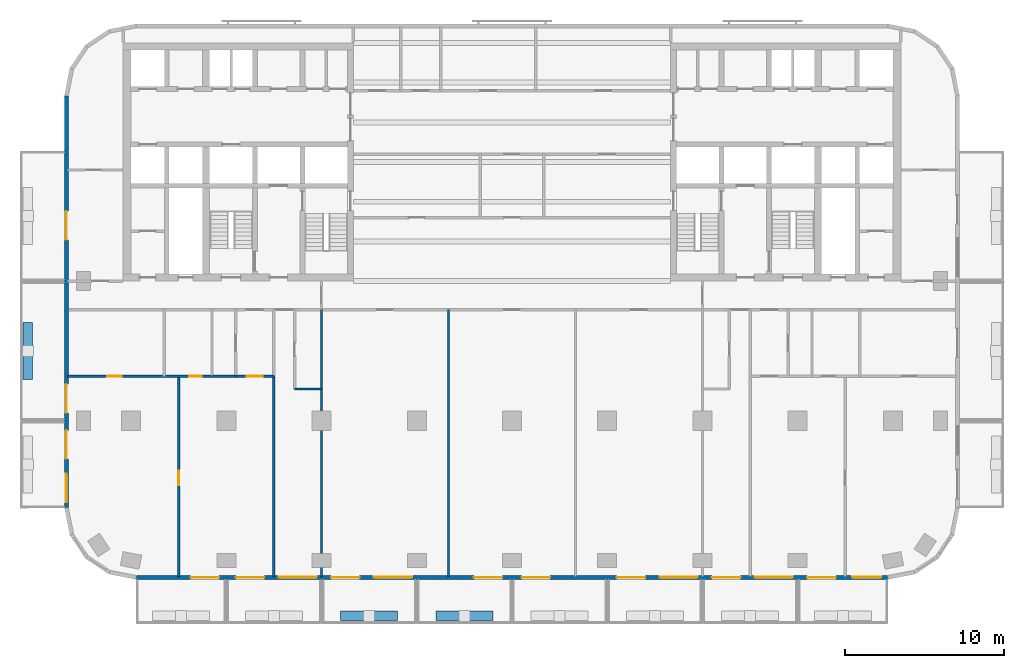
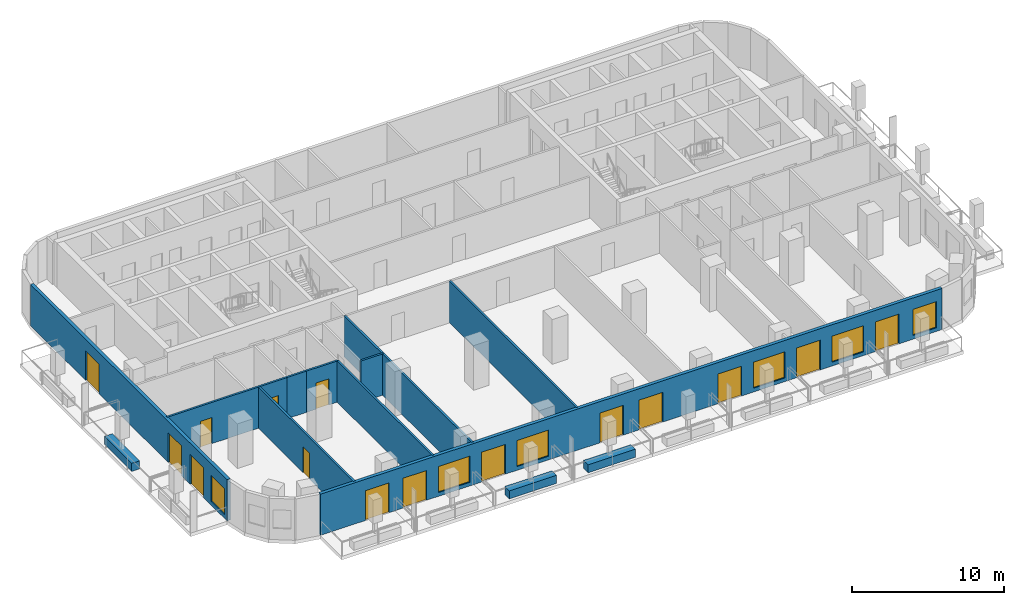
# One storey, part 2 of 11: 15 doors, 13 walls, 6 windows, 21 openings.
"""IFC4 building model written with IfcOpenShell, lengths in metres."""

import ifcopenshell
import ifcopenshell.guid

model = None  # the IFC model being written
_history = None  # IfcOwnerHistory: only IFC2X3 demands one
_inside = {}  # id of a spatial element -> (the spatial element, [elements in it])
_under = {}  # id of a project, library or spatial element -> (it, [spatial elements below it])
_declared = {}  # id of a project -> (the project, [libraries it declares])
_typed = {}  # id of a type object -> (the type object, [elements of that type])
_made_of = {}  # id of a material, layer set ... -> (it, [elements and type objects made of it])


def new_model(schema):
    """Start an empty IFC model of exactly this schema.

    Asked for "IFC4X3", IfcOpenShell would pick the latest addendum, in which some entities
    have other attributes; the version numbers below select the first issue.
    IFC2X3 requires an IfcOwnerHistory on every rooted entity: one is made here for all.
    """
    global model, _history
    if schema == "IFC4X3":
        model = ifcopenshell.file(schema_version=(4, 3, 0, 0))
    else:
        model = ifcopenshell.file(schema=schema)
    _inside.clear()
    _under.clear()
    _declared.clear()
    _typed.clear()
    _made_of.clear()
    _history = None
    if model.schema == "IFC2X3":
        org = make("IfcOrganization", Name="unknown")
        user = make(
            "IfcPersonAndOrganization",
            ThePerson=make("IfcPerson", FamilyName="unknown"),
            TheOrganization=org,
        )
        app = make(
            "IfcApplication",
            ApplicationDeveloper=org,
            Version="unknown",
            ApplicationFullName="unknown",
            ApplicationIdentifier="unknown",
        )
        _history = make(
            "IfcOwnerHistory",
            OwningUser=user,
            OwningApplication=app,
            ChangeAction="ADDED",
            CreationDate=0,
        )
    return model


def make(cls, **values):
    """One entity of the class cls with the attributes given. An attribute that is None is left unset."""
    return model.create_entity(
        cls, **{name: value for name, value in values.items() if value is not None}
    )


def rooted(cls, **values):
    """An entity with a GlobalId (a new one), such as an element, a storey or a relation."""
    return make(cls, GlobalId=ifcopenshell.guid.new(), OwnerHistory=_history, **values)


def si_unit(unit_type, name, prefix=None):
    """IfcSIUnit, for example si_unit("LENGTHUNIT", "METRE", prefix="MILLI")."""
    return make("IfcSIUnit", UnitType=unit_type, Prefix=prefix, Name=name)


def assignment(units):
    """IfcUnitAssignment: the units of a project."""
    return None if units is None else make("IfcUnitAssignment", Units=units)


def point(xyz):
    """IfcCartesianPoint."""
    return None if xyz is None else make("IfcCartesianPoint", Coordinates=xyz)


def direction(xyz):
    """IfcDirection."""
    return None if xyz is None else make("IfcDirection", DirectionRatios=xyz)


def frame(location, z_axis=None, x_axis=None):
    """IfcAxis2Placement3D, a coordinate frame: its origin and axes. An axis left out is left unset."""
    return make(
        "IfcAxis2Placement3D",
        Location=point(location),
        Axis=direction(z_axis),
        RefDirection=direction(x_axis),
    )


def frame_2d(location, x_axis=None):
    """IfcAxis2Placement2D, a coordinate frame in the plane: its origin and x axis."""
    return make(
        "IfcAxis2Placement2D", Location=point(location), RefDirection=direction(x_axis)
    )


def origin():
    """The frame at (0, 0, 0) with its axes left unset."""
    return frame((0.0, 0.0, 0.0))


def place(relative_to, where):
    """IfcLocalPlacement: puts the frame where relative to a parent placement (None: the world)."""
    return make(
        "IfcLocalPlacement", PlacementRelTo=relative_to, RelativePlacement=where
    )


def context(
    kind, dimensions, precision=None, world=None, true_north=None, identifier=None
):
    """IfcGeometricRepresentationContext, for example the 3D "Model" context."""
    return make(
        "IfcGeometricRepresentationContext",
        ContextIdentifier=identifier,
        ContextType=kind,
        CoordinateSpaceDimension=dimensions,
        Precision=precision,
        WorldCoordinateSystem=world,
        TrueNorth=true_north,
    )


def subcontext(parent, identifier, kind, view, scale=None):
    """IfcGeometricRepresentationSubContext, for example "Body" below "Model"."""
    return make(
        "IfcGeometricRepresentationSubContext",
        ContextIdentifier=identifier,
        ContextType=kind,
        ParentContext=parent,
        TargetScale=scale,
        TargetView=view,
    )


def project(units=None, contexts=None):
    """IfcProject with its units and contexts."""
    return rooted(
        "IfcProject",
        Name="project",
        RepresentationContexts=contexts,
        UnitsInContext=assignment(units),
    )


def spatial(cls, under=None, at=None, **own):
    """A site, building, storey or space (cls), placed at a placement, below another one or the project."""
    s = rooted(cls, ObjectPlacement=at, **own)
    if under is not None:
        _under.setdefault(under.id(), (under, []))[1].append(s)
    return s


def profile(cls, at=None, kind="AREA", **sizes):
    """A parametric profile (cls). Its sizes go by their IFC names, for example OverallWidth=200.0."""
    return make(cls, ProfileType=kind, Position=at, **sizes)


def rectangle(**sizes):
    """IfcRectangleProfileDef."""
    return profile("IfcRectangleProfileDef", **sizes)


def extrude(swept, where, along, depth):
    """IfcExtrudedAreaSolid: the profile swept, set in the frame where, extruded along a direction by depth."""
    return make(
        "IfcExtrudedAreaSolid",
        SweptArea=swept,
        Position=where,
        ExtrudedDirection=direction(along),
        Depth=depth,
    )


def shape(context_of_items, identifier, shape_type, items):
    """IfcShapeRepresentation: the items that make up one representation, for example the "Body"."""
    return make(
        "IfcShapeRepresentation",
        ContextOfItems=context_of_items,
        RepresentationIdentifier=identifier,
        RepresentationType=shape_type,
        Items=items,
    )


def material(Name=None, Category=None):
    """IfcMaterial."""
    return make("IfcMaterial", Name=Name, Category=Category)


def layer(
    of_material, thickness, ventilated=None, Name=None, Category=None, Priority=None
):
    """IfcMaterialLayer: one layer of a wall or slab, of a material (None: an air gap)."""
    return make(
        "IfcMaterialLayer",
        Material=of_material,
        LayerThickness=thickness,
        IsVentilated=ventilated,
        Name=Name,
        Category=Category,
        Priority=Priority,
    )


def layer_set(layers, Name=None):
    """IfcMaterialLayerSet."""
    return make("IfcMaterialLayerSet", MaterialLayers=layers, LayerSetName=Name)


def made_of(thing, what):
    """Note that an element or type object is made of a material, layer set ...; save() writes the relation."""
    if what is not None:
        _made_of.setdefault(what.id(), (what, []))[1].append(thing)
    return thing


def type_object(cls, material=None, **own):
    """A type object (cls), such as IfcWallType, which elements share."""
    return made_of(rooted(cls, **own), material)


def element(
    cls,
    number,
    at=None,
    inside=None,
    cuts=None,
    type_object=None,
    material=None,
    context=None,
    identifier="Body",
    shape_type=None,
    held_by="IfcProductDefinitionShape",
    body=None,
    shapes=None,
    **own,
):
    """One element of the class cls, such as IfcWall. Its Tag is "e" and its number.

    at: its placement. inside: the storey or other place that contains it. cuts: it is an
    opening in that element (IfcRelVoidsElement). A single representation is given by context,
    identifier, shape_type and body (its items); several are given by shapes. held_by: the class
    of the entity that holds the representations. save() writes the other relations.
    """
    e = rooted(cls, Tag="e%d" % number, ObjectPlacement=at, **own)
    if body is not None:
        shapes = [shape(context, identifier, shape_type, body)]
    if shapes is not None:
        e.Representation = make(held_by, Representations=shapes)
    if inside is not None:
        _inside.setdefault(inside.id(), (inside, []))[1].append(e)
    if cuts is not None:
        rooted(
            "IfcRelVoidsElement", RelatingBuildingElement=cuts, RelatedOpeningElement=e
        )
    if type_object is not None:
        _typed.setdefault(type_object.id(), (type_object, []))[1].append(e)
    return made_of(e, material)


def fill(opening, filler):
    """IfcRelFillsElement: the door or window that sits in an opening."""
    return rooted(
        "IfcRelFillsElement",
        RelatingOpeningElement=opening,
        RelatedBuildingElement=filler,
    )


def aggregate(whole, parts):
    """IfcRelAggregates: a whole, such as a stair, and the parts it consists of."""
    return rooted("IfcRelAggregates", RelatingObject=whole, RelatedObjects=parts)


def save(model, path):
    """Write the relations noted so far, then the file.

    IfcRelAggregates (storeys below a building ...), IfcRelContainedInSpatialStructure (elements
    in a storey), IfcRelDefinesByType, IfcRelAssociatesMaterial and IfcRelDeclares: one each for
    every whole, place, type object, material and project.
    """
    for whole, parts in _under.values():
        aggregate(whole, parts)
    for where, things in _inside.values():
        rooted(
            "IfcRelContainedInSpatialStructure",
            RelatedElements=things,
            RelatingStructure=where,
        )
    for kind, things in _typed.values():
        rooted("IfcRelDefinesByType", RelatedObjects=things, RelatingType=kind)
    for what, things in _made_of.values():
        rooted("IfcRelAssociatesMaterial", RelatedObjects=things, RelatingMaterial=what)
    for by, libraries in _declared.values():
        rooted("IfcRelDeclares", RelatingContext=by, RelatedDefinitions=libraries)
    model.write(path)


model = new_model("IFC4")

# Units and contexts
model_context = context("Model", 3, precision=1e-05, world=origin(), true_north=direction((0.0, 1.0)))
body_context = subcontext(model_context, "Body", "Model", "MODEL_VIEW")
ifc_project = project(units=[si_unit("LENGTHUNIT", "METRE"), si_unit("AREAUNIT", "SQUARE_METRE"), si_unit("VOLUMEUNIT", "CUBIC_METRE"), si_unit("PLANEANGLEUNIT", "RADIAN"), si_unit("MASSUNIT", "GRAM", prefix="KILO")], contexts=[model_context])

# Site, building, storey
site_placement = place(None, origin())
site = spatial("IfcSite", under=ifc_project, at=site_placement, CompositionType="ELEMENT")
building_placement = place(site_placement, origin())
building = spatial("IfcBuilding", under=site, at=building_placement, Name="Torana Hotel and Residences", CompositionType="ELEMENT")
storey_placement = place(building_placement, frame((0.0, 0.0, 152.39990234375)))
storey = spatial("IfcBuildingStorey", under=building, at=storey_placement, Name="L39", CompositionType="ELEMENT", Elevation=152.39990234375)

# Wall, openings, doors, window
ifc_material_1 = material(Name="Black aluminium composite panel", Category="aluminium")
ifc_layer_1 = layer(ifc_material_1, 0.00390625, Name="Cladding", Category="cladding")
ifc_material_2 = material(Name="Ventilated air cavity")
ifc_layer_2 = layer(ifc_material_2, 0.0400390625, Name="Ventilated cavity", Category="cavity")
ifc_material_3 = material(Name="Mineral wool insulation")
ifc_layer_3 = layer(ifc_material_3, 0.090087890625, Name="Insulation", Category="insulation")
ifc_material_4 = material(Name="Steel S280GD", Category="steel")
ifc_layer_4 = layer(ifc_material_4, 0.092041015625, Name="Steel stud frame", Category="structure")
ifc_material_5 = material(Name="Fire rated plasterboard")
ifc_layer_5 = layer(ifc_material_5, 0.011962890625, Name="Inner board", Category="finish")
ifc_layer_6 = layer(ifc_material_5, 0.011962890625, Name="Second board", Category="finish")
ifc_layer_set_1 = layer_set([ifc_layer_1, ifc_layer_2, ifc_layer_3, ifc_layer_4, ifc_layer_5, ifc_layer_6], Name="EW1 EXTERNAL WALL BLACK METAL CLAD 250")
wall_type_1 = type_object("IfcWallType", Name="EW1 EXTERNAL WALL BLACK METAL CLAD 250", PredefinedType="SOLIDWALL", material=ifc_layer_set_1)
wall_1_placement = place(storey_placement, frame((-28.074951171875, -3.32470703125, 0.0), z_axis=(0.0, 0.0, 1.0), x_axis=(0.0, -1.0, 0.0)))
wall_1 = element("IfcWall", 1, at=wall_1_placement, inside=storey, type_object=wall_type_1, Name="External wall L39 e0.9", PredefinedType="SOLIDWALL", context=body_context, shape_type="SweptSolid", body=[
    extrude(rectangle(XDim=25.95068359375, YDim=0.25, at=frame_2d((12.975341796875, 0.0))), origin(), (0.0, 0.0, 1.0), 3.320068359375),
])
opening_1_placement = place(wall_1_placement, frame((7.275390625, 0.0, 0.0)))
opening_1 = element("IfcOpeningElement", 2, at=opening_1_placement, cuts=wall_1, Name="Opening L39-E12", PredefinedType="OPENING", context=body_context, shape_type="SweptSolid", body=[
    extrude(rectangle(XDim=1.800048828125, YDim=2.39990234375, at=frame_2d((0.89990234375, 1.199951171875))), frame((0.0, 0.135009765625, 0.0), z_axis=(0.0, -1.0, 0.0), x_axis=(1.0, 0.0, 0.0)), (0.0, 0.0, 1.0), 0.27001953125),
])
opening_2_placement = place(wall_1_placement, frame((18.17529296875, 0.0, 0.0)))
opening_2 = element("IfcOpeningElement", 3, at=opening_2_placement, cuts=wall_1, Name="Opening L39-E13", PredefinedType="OPENING", context=body_context, shape_type="SweptSolid", body=[
    extrude(rectangle(XDim=1.800048828125, YDim=2.39990234375, at=frame_2d((0.89990234375, 1.199951171875))), frame((0.0, 0.135009765625, 0.0), z_axis=(0.0, -1.0, 0.0), x_axis=(1.0, 0.0, 0.0)), (0.0, 0.0, 1.0), 0.27001953125),
])
opening_3_placement = place(wall_1_placement, frame((21.075439453125, 0.0, 0.0)))
opening_3 = element("IfcOpeningElement", 4, at=opening_3_placement, cuts=wall_1, Name="Opening L39-E14", PredefinedType="OPENING", context=body_context, shape_type="SweptSolid", body=[
    extrude(rectangle(XDim=1.800048828125, YDim=2.39990234375, at=frame_2d((0.89990234375, 1.199951171875))), frame((0.0, 0.135009765625, 0.0), z_axis=(0.0, -1.0, 0.0), x_axis=(1.0, 0.0, 0.0)), (0.0, 0.0, 1.0), 0.27001953125),
])
opening_4_placement = place(wall_1_placement, frame((23.825439453125, 0.0, 0.300048828125)))
opening_4 = element("IfcOpeningElement", 5, at=opening_4_placement, cuts=wall_1, Name="Opening W2", PredefinedType="OPENING", context=body_context, shape_type="SweptSolid", body=[
    extrude(rectangle(XDim=1.800048828125, YDim=2.10009765625, at=frame_2d((0.89990234375, 1.050048828125))), frame((0.0, 0.135009765625, 0.0), z_axis=(0.0, -1.0, 0.0), x_axis=(1.0, 0.0, 0.0)), (0.0, 0.0, 1.0), 0.27001953125),
])
ifc_material_6 = material(Name="Dark glass in black aluminium frame", Category="aluminium")
door_type_1 = type_object("IfcDoorType", Name="DB1 BALCONY DOOR 1800x2400", OperationType="DOUBLE_DOOR_SINGLE_SWING", PredefinedType="DOOR", material=ifc_material_6)
door_1_placement = place(opening_1_placement, origin())
door_1 = element("IfcDoor", 6, at=door_1_placement, inside=storey, type_object=door_type_1, Name="Balcony door L39", OperationType="DOUBLE_DOOR_SINGLE_SWING", OverallHeight=2.39990234375, OverallWidth=1.800048828125, PredefinedType="DOOR", context=body_context, shape_type="SweptSolid", body=[
    extrude(rectangle(XDim=1.800048828125, YDim=2.39990234375, at=frame_2d((0.89990234375, 1.199951171875))), frame((0.0, 0.02490234375, 0.0), z_axis=(0.0, -1.0, 0.0), x_axis=(1.0, 0.0, 0.0)), (0.0, 0.0, 1.0), 0.050048828125),
])
fill(opening_1, door_1)
door_2_placement = place(opening_2_placement, frame((0.89990234375, 0.0, 0.0), z_axis=(0.0, 0.0, 1.0), x_axis=(-1.0, 0.0, 0.0)))
door_2 = element("IfcDoor", 7, at=door_2_placement, inside=storey, type_object=door_type_1, Name="Balcony door L39", OperationType="DOUBLE_DOOR_SINGLE_SWING", OverallHeight=2.39990234375, OverallWidth=1.800048828125, PredefinedType="DOOR", context=body_context, shape_type="SweptSolid", body=[
    extrude(rectangle(XDim=1.800048828125, YDim=2.39990234375, at=frame_2d((0.0, 1.199951171875))), frame((0.0, -0.02490234375, 0.0), z_axis=(0.0, 1.0, 0.0), x_axis=(-1.0, 0.0, 0.0)), (0.0, 0.0, 1.0), 0.050048828125),
])
fill(opening_2, door_2)
door_3_placement = place(opening_3_placement, origin())
door_3 = element("IfcDoor", 8, at=door_3_placement, inside=storey, type_object=door_type_1, Name="Balcony door L39", OperationType="DOUBLE_DOOR_SINGLE_SWING", OverallHeight=2.39990234375, OverallWidth=1.800048828125, PredefinedType="DOOR", context=body_context, shape_type="SweptSolid", body=[
    extrude(rectangle(XDim=1.800048828125, YDim=2.39990234375, at=frame_2d((0.89990234375, 1.199951171875))), frame((0.0, 0.02490234375, 0.0), z_axis=(0.0, -1.0, 0.0), x_axis=(1.0, 0.0, 0.0)), (0.0, 0.0, 1.0), 0.050048828125),
])
fill(opening_3, door_3)
ifc_material_7 = material(Name="Dark glass in black aluminium frame", Category="aluminium")
window_type_1 = type_object("IfcWindowType", Name="W2 HOTEL ROOM WINDOW NARROW 1800x2100", PartitioningType="SINGLE_PANEL", PredefinedType="WINDOW", material=ifc_material_7)
window_1_placement = place(opening_4_placement, origin())
window_1 = element("IfcWindow", 9, at=window_1_placement, inside=storey, type_object=window_type_1, Name="Window L39", OverallHeight=2.10009765625, OverallWidth=1.800048828125, PartitioningType="SINGLE_PANEL", PredefinedType="WINDOW", context=body_context, shape_type="SweptSolid", body=[
    extrude(rectangle(XDim=1.800048828125, YDim=2.10009765625, at=frame_2d((0.89990234375, 1.050048828125))), frame((0.0, 0.030029296875, 0.0), z_axis=(0.0, -1.0, 0.0), x_axis=(1.0, 0.0, 0.0)), (0.0, 0.0, 1.0), 0.06005859375),
])
fill(opening_4, window_1)

# Wall, openings, doors, windows
wall_2_placement = place(storey_placement, frame((-23.67529296875, -33.675048828125, 0.0), z_axis=(0.0, 0.0, 1.0), x_axis=(1.0, 0.0, 0.0)))
wall_2 = element("IfcWall", 10, at=wall_2_placement, inside=storey, type_object=wall_type_1, Name="External wall L39 e0.14", PredefinedType="SOLIDWALL", context=body_context, shape_type="SweptSolid", body=[
    extrude(rectangle(XDim=47.3505859375, YDim=0.25, at=frame_2d((23.67529296875, 0.0))), origin(), (0.0, 0.0, 1.0), 3.320068359375),
])
opening_5_placement = place(wall_2_placement, frame((3.42529296875, 0.0, 0.0)))
opening_5 = element("IfcOpeningElement", 11, at=opening_5_placement, cuts=wall_2, Name="Opening L39-E01", PredefinedType="OPENING", context=body_context, shape_type="SweptSolid", body=[
    extrude(rectangle(XDim=1.800048828125, YDim=2.39990234375, at=frame_2d((0.89990234375, 1.199951171875))), frame((0.0, 0.135009765625, 0.0), z_axis=(0.0, -1.0, 0.0), x_axis=(1.0, 0.0, 0.0)), (0.0, 0.0, 1.0), 0.27001953125),
])
opening_6_placement = place(wall_2_placement, frame((6.275390625, 0.0, 0.0)))
opening_6 = element("IfcOpeningElement", 12, at=opening_6_placement, cuts=wall_2, Name="Opening L39-E02", PredefinedType="OPENING", context=body_context, shape_type="SweptSolid", body=[
    extrude(rectangle(XDim=1.800048828125, YDim=2.39990234375, at=frame_2d((0.89990234375, 1.199951171875))), frame((0.0, 0.135009765625, 0.0), z_axis=(0.0, -1.0, 0.0), x_axis=(1.0, 0.0, 0.0)), (0.0, 0.0, 1.0), 0.27001953125),
])
opening_7_placement = place(wall_2_placement, frame((8.975341796875, 0.0, 0.300048828125)))
opening_7 = element("IfcOpeningElement", 13, at=opening_7_placement, cuts=wall_2, Name="Opening W1", PredefinedType="OPENING", context=body_context, shape_type="SweptSolid", body=[
    extrude(rectangle(XDim=2.39990234375, YDim=2.10009765625, at=frame_2d((1.199951171875, 1.050048828125))), frame((0.0, 0.135009765625, 0.0), z_axis=(0.0, -1.0, 0.0), x_axis=(1.0, 0.0, 0.0)), (0.0, 0.0, 1.0), 0.27001953125),
])
opening_8_placement = place(wall_2_placement, frame((12.275390625, 0.0, 0.0)))
opening_8 = element("IfcOpeningElement", 14, at=opening_8_placement, cuts=wall_2, Name="Opening L39-E03", PredefinedType="OPENING", context=body_context, shape_type="SweptSolid", body=[
    extrude(rectangle(XDim=1.800048828125, YDim=2.39990234375, at=frame_2d((0.89990234375, 1.199951171875))), frame((0.0, 0.135009765625, 0.0), z_axis=(0.0, -1.0, 0.0), x_axis=(1.0, 0.0, 0.0)), (0.0, 0.0, 1.0), 0.27001953125),
])
opening_9_placement = place(wall_2_placement, frame((14.975341796875, 0.0, 0.300048828125)))
opening_9 = element("IfcOpeningElement", 15, at=opening_9_placement, cuts=wall_2, Name="Opening W1", PredefinedType="OPENING", context=body_context, shape_type="SweptSolid", body=[
    extrude(rectangle(XDim=2.39990234375, YDim=2.10009765625, at=frame_2d((1.199951171875, 1.050048828125))), frame((0.0, 0.135009765625, 0.0), z_axis=(0.0, -1.0, 0.0), x_axis=(1.0, 0.0, 0.0)), (0.0, 0.0, 1.0), 0.27001953125),
])
opening_10_placement = place(wall_2_placement, frame((21.275390625, 0.0, 0.0)))
opening_10 = element("IfcOpeningElement", 16, at=opening_10_placement, cuts=wall_2, Name="Opening L39-E04", PredefinedType="OPENING", context=body_context, shape_type="SweptSolid", body=[
    extrude(rectangle(XDim=1.800048828125, YDim=2.39990234375, at=frame_2d((0.89990234375, 1.199951171875))), frame((0.0, 0.135009765625, 0.0), z_axis=(0.0, -1.0, 0.0), x_axis=(1.0, 0.0, 0.0)), (0.0, 0.0, 1.0), 0.27001953125),
])
opening_11_placement = place(wall_2_placement, frame((24.275390625, 0.0, 0.0)))
opening_11 = element("IfcOpeningElement", 17, at=opening_11_placement, cuts=wall_2, Name="Opening L39-E05", PredefinedType="OPENING", context=body_context, shape_type="SweptSolid", body=[
    extrude(rectangle(XDim=1.800048828125, YDim=2.39990234375, at=frame_2d((0.89990234375, 1.199951171875))), frame((0.0, 0.135009765625, 0.0), z_axis=(0.0, -1.0, 0.0), x_axis=(1.0, 0.0, 0.0)), (0.0, 0.0, 1.0), 0.27001953125),
])
opening_12_placement = place(wall_2_placement, frame((30.275390625, 0.0, 0.0)))
opening_12 = element("IfcOpeningElement", 18, at=opening_12_placement, cuts=wall_2, Name="Opening L39-E06", PredefinedType="OPENING", context=body_context, shape_type="SweptSolid", body=[
    extrude(rectangle(XDim=1.800048828125, YDim=2.39990234375, at=frame_2d((0.89990234375, 1.199951171875))), frame((0.0, 0.135009765625, 0.0), z_axis=(0.0, -1.0, 0.0), x_axis=(1.0, 0.0, 0.0)), (0.0, 0.0, 1.0), 0.27001953125),
])
opening_13_placement = place(wall_2_placement, frame((32.975341796875, 0.0, 0.300048828125)))
opening_13 = element("IfcOpeningElement", 19, at=opening_13_placement, cuts=wall_2, Name="Opening W1", PredefinedType="OPENING", context=body_context, shape_type="SweptSolid", body=[
    extrude(rectangle(XDim=2.39990234375, YDim=2.10009765625, at=frame_2d((1.199951171875, 1.050048828125))), frame((0.0, 0.135009765625, 0.0), z_axis=(0.0, -1.0, 0.0), x_axis=(1.0, 0.0, 0.0)), (0.0, 0.0, 1.0), 0.27001953125),
])
opening_14_placement = place(wall_2_placement, frame((36.275390625, 0.0, 0.0)))
opening_14 = element("IfcOpeningElement", 20, at=opening_14_placement, cuts=wall_2, Name="Opening L39-E07", PredefinedType="OPENING", context=body_context, shape_type="SweptSolid", body=[
    extrude(rectangle(XDim=1.800048828125, YDim=2.39990234375, at=frame_2d((0.89990234375, 1.199951171875))), frame((0.0, 0.135009765625, 0.0), z_axis=(0.0, -1.0, 0.0), x_axis=(1.0, 0.0, 0.0)), (0.0, 0.0, 1.0), 0.27001953125),
])
opening_15_placement = place(wall_2_placement, frame((38.975341796875, 0.0, 0.300048828125)))
opening_15 = element("IfcOpeningElement", 21, at=opening_15_placement, cuts=wall_2, Name="Opening W1", PredefinedType="OPENING", context=body_context, shape_type="SweptSolid", body=[
    extrude(rectangle(XDim=2.39990234375, YDim=2.10009765625, at=frame_2d((1.199951171875, 1.050048828125))), frame((0.0, 0.135009765625, 0.0), z_axis=(0.0, -1.0, 0.0), x_axis=(1.0, 0.0, 0.0)), (0.0, 0.0, 1.0), 0.27001953125),
])
opening_16_placement = place(wall_2_placement, frame((42.275390625, 0.0, 0.0)))
opening_16 = element("IfcOpeningElement", 22, at=opening_16_placement, cuts=wall_2, Name="Opening L39-E08", PredefinedType="OPENING", context=body_context, shape_type="SweptSolid", body=[
    extrude(rectangle(XDim=1.800048828125, YDim=2.39990234375, at=frame_2d((0.89990234375, 1.199951171875))), frame((0.0, 0.135009765625, 0.0), z_axis=(0.0, -1.0, 0.0), x_axis=(1.0, 0.0, 0.0)), (0.0, 0.0, 1.0), 0.27001953125),
])
opening_17_placement = place(wall_2_placement, frame((45.12548828125, 0.0, 0.300048828125)))
opening_17 = element("IfcOpeningElement", 23, at=opening_17_placement, cuts=wall_2, Name="Opening W2", PredefinedType="OPENING", context=body_context, shape_type="SweptSolid", body=[
    extrude(rectangle(XDim=1.800048828125, YDim=2.10009765625, at=frame_2d((0.89990234375, 1.050048828125))), frame((0.0, 0.135009765625, 0.0), z_axis=(0.0, -1.0, 0.0), x_axis=(1.0, 0.0, 0.0)), (0.0, 0.0, 1.0), 0.27001953125),
])
door_4_placement = place(opening_5_placement, frame((0.89990234375, 0.0, 0.0), z_axis=(0.0, 0.0, 1.0), x_axis=(-1.0, 0.0, 0.0)))
door_4 = element("IfcDoor", 24, at=door_4_placement, inside=storey, type_object=door_type_1, Name="Balcony door L39", OperationType="DOUBLE_DOOR_SINGLE_SWING", OverallHeight=2.39990234375, OverallWidth=1.800048828125, PredefinedType="DOOR", context=body_context, shape_type="SweptSolid", body=[
    extrude(rectangle(XDim=1.800048828125, YDim=2.39990234375, at=frame_2d((0.0, 1.199951171875))), frame((0.0, -0.02490234375, 0.0), z_axis=(0.0, 1.0, 0.0), x_axis=(-1.0, 0.0, 0.0)), (0.0, 0.0, 1.0), 0.050048828125),
])
fill(opening_5, door_4)
door_5_placement = place(opening_6_placement, origin())
door_5 = element("IfcDoor", 25, at=door_5_placement, inside=storey, type_object=door_type_1, Name="Balcony door L39", OperationType="DOUBLE_DOOR_SINGLE_SWING", OverallHeight=2.39990234375, OverallWidth=1.800048828125, PredefinedType="DOOR", context=body_context, shape_type="SweptSolid", body=[
    extrude(rectangle(XDim=1.800048828125, YDim=2.39990234375, at=frame_2d((0.89990234375, 1.199951171875))), frame((0.0, 0.02490234375, 0.0), z_axis=(0.0, -1.0, 0.0), x_axis=(1.0, 0.0, 0.0)), (0.0, 0.0, 1.0), 0.050048828125),
])
fill(opening_6, door_5)
door_6_placement = place(opening_8_placement, origin())
door_6 = element("IfcDoor", 26, at=door_6_placement, inside=storey, type_object=door_type_1, Name="Balcony door L39", OperationType="DOUBLE_DOOR_SINGLE_SWING", OverallHeight=2.39990234375, OverallWidth=1.800048828125, PredefinedType="DOOR", context=body_context, shape_type="SweptSolid", body=[
    extrude(rectangle(XDim=1.800048828125, YDim=2.39990234375, at=frame_2d((0.89990234375, 1.199951171875))), frame((0.0, 0.02490234375, 0.0), z_axis=(0.0, -1.0, 0.0), x_axis=(1.0, 0.0, 0.0)), (0.0, 0.0, 1.0), 0.050048828125),
])
fill(opening_8, door_6)
door_7_placement = place(opening_10_placement, origin())
door_7 = element("IfcDoor", 27, at=door_7_placement, inside=storey, type_object=door_type_1, Name="Balcony door L39", OperationType="DOUBLE_DOOR_SINGLE_SWING", OverallHeight=2.39990234375, OverallWidth=1.800048828125, PredefinedType="DOOR", context=body_context, shape_type="SweptSolid", body=[
    extrude(rectangle(XDim=1.800048828125, YDim=2.39990234375, at=frame_2d((0.89990234375, 1.199951171875))), frame((0.0, 0.02490234375, 0.0), z_axis=(0.0, -1.0, 0.0), x_axis=(1.0, 0.0, 0.0)), (0.0, 0.0, 1.0), 0.050048828125),
])
fill(opening_10, door_7)
door_8_placement = place(opening_11_placement, origin())
door_8 = element("IfcDoor", 28, at=door_8_placement, inside=storey, type_object=door_type_1, Name="Balcony door L39", OperationType="DOUBLE_DOOR_SINGLE_SWING", OverallHeight=2.39990234375, OverallWidth=1.800048828125, PredefinedType="DOOR", context=body_context, shape_type="SweptSolid", body=[
    extrude(rectangle(XDim=1.800048828125, YDim=2.39990234375, at=frame_2d((0.89990234375, 1.199951171875))), frame((0.0, 0.02490234375, 0.0), z_axis=(0.0, -1.0, 0.0), x_axis=(1.0, 0.0, 0.0)), (0.0, 0.0, 1.0), 0.050048828125),
])
fill(opening_11, door_8)
door_9_placement = place(opening_12_placement, origin())
door_9 = element("IfcDoor", 29, at=door_9_placement, inside=storey, type_object=door_type_1, Name="Balcony door L39", OperationType="DOUBLE_DOOR_SINGLE_SWING", OverallHeight=2.39990234375, OverallWidth=1.800048828125, PredefinedType="DOOR", context=body_context, shape_type="SweptSolid", body=[
    extrude(rectangle(XDim=1.800048828125, YDim=2.39990234375, at=frame_2d((0.89990234375, 1.199951171875))), frame((0.0, 0.02490234375, 0.0), z_axis=(0.0, -1.0, 0.0), x_axis=(1.0, 0.0, 0.0)), (0.0, 0.0, 1.0), 0.050048828125),
])
fill(opening_12, door_9)
door_10_placement = place(opening_14_placement, origin())
door_10 = element("IfcDoor", 30, at=door_10_placement, inside=storey, type_object=door_type_1, Name="Balcony door L39", OperationType="DOUBLE_DOOR_SINGLE_SWING", OverallHeight=2.39990234375, OverallWidth=1.800048828125, PredefinedType="DOOR", context=body_context, shape_type="SweptSolid", body=[
    extrude(rectangle(XDim=1.800048828125, YDim=2.39990234375, at=frame_2d((0.89990234375, 1.199951171875))), frame((0.0, 0.02490234375, 0.0), z_axis=(0.0, -1.0, 0.0), x_axis=(1.0, 0.0, 0.0)), (0.0, 0.0, 1.0), 0.050048828125),
])
fill(opening_14, door_10)
door_11_placement = place(opening_16_placement, origin())
door_11 = element("IfcDoor", 31, at=door_11_placement, inside=storey, type_object=door_type_1, Name="Balcony door L39", OperationType="DOUBLE_DOOR_SINGLE_SWING", OverallHeight=2.39990234375, OverallWidth=1.800048828125, PredefinedType="DOOR", context=body_context, shape_type="SweptSolid", body=[
    extrude(rectangle(XDim=1.800048828125, YDim=2.39990234375, at=frame_2d((0.89990234375, 1.199951171875))), frame((0.0, 0.02490234375, 0.0), z_axis=(0.0, -1.0, 0.0), x_axis=(1.0, 0.0, 0.0)), (0.0, 0.0, 1.0), 0.050048828125),
])
fill(opening_16, door_11)
ifc_material_8 = material(Name="Dark glass in black aluminium frame", Category="aluminium")
window_type_2 = type_object("IfcWindowType", Name="W1 HOTEL ROOM WINDOW 2400x2100", PartitioningType="SINGLE_PANEL", PredefinedType="WINDOW", material=ifc_material_8)
window_2_placement = place(opening_7_placement, origin())
window_2 = element("IfcWindow", 32, at=window_2_placement, inside=storey, type_object=window_type_2, Name="Window L39", OverallHeight=2.10009765625, OverallWidth=2.39990234375, PartitioningType="SINGLE_PANEL", PredefinedType="WINDOW", context=body_context, shape_type="SweptSolid", body=[
    extrude(rectangle(XDim=2.39990234375, YDim=2.10009765625, at=frame_2d((1.199951171875, 1.050048828125))), frame((0.0, 0.030029296875, 0.0), z_axis=(0.0, -1.0, 0.0), x_axis=(1.0, 0.0, 0.0)), (0.0, 0.0, 1.0), 0.06005859375),
])
fill(opening_7, window_2)
window_3_placement = place(opening_9_placement, origin())
window_3 = element("IfcWindow", 33, at=window_3_placement, inside=storey, type_object=window_type_2, Name="Window L39", OverallHeight=2.10009765625, OverallWidth=2.39990234375, PartitioningType="SINGLE_PANEL", PredefinedType="WINDOW", context=body_context, shape_type="SweptSolid", body=[
    extrude(rectangle(XDim=2.39990234375, YDim=2.10009765625, at=frame_2d((1.199951171875, 1.050048828125))), frame((0.0, 0.030029296875, 0.0), z_axis=(0.0, -1.0, 0.0), x_axis=(1.0, 0.0, 0.0)), (0.0, 0.0, 1.0), 0.06005859375),
])
fill(opening_9, window_3)
window_4_placement = place(opening_13_placement, origin())
window_4 = element("IfcWindow", 34, at=window_4_placement, inside=storey, type_object=window_type_2, Name="Window L39", OverallHeight=2.10009765625, OverallWidth=2.39990234375, PartitioningType="SINGLE_PANEL", PredefinedType="WINDOW", context=body_context, shape_type="SweptSolid", body=[
    extrude(rectangle(XDim=2.39990234375, YDim=2.10009765625, at=frame_2d((1.199951171875, 1.050048828125))), frame((0.0, 0.030029296875, 0.0), z_axis=(0.0, -1.0, 0.0), x_axis=(1.0, 0.0, 0.0)), (0.0, 0.0, 1.0), 0.06005859375),
])
fill(opening_13, window_4)
window_5_placement = place(opening_15_placement, origin())
window_5 = element("IfcWindow", 35, at=window_5_placement, inside=storey, type_object=window_type_2, Name="Window L39", OverallHeight=2.10009765625, OverallWidth=2.39990234375, PartitioningType="SINGLE_PANEL", PredefinedType="WINDOW", context=body_context, shape_type="SweptSolid", body=[
    extrude(rectangle(XDim=2.39990234375, YDim=2.10009765625, at=frame_2d((1.199951171875, 1.050048828125))), frame((0.0, 0.030029296875, 0.0), z_axis=(0.0, -1.0, 0.0), x_axis=(1.0, 0.0, 0.0)), (0.0, 0.0, 1.0), 0.06005859375),
])
fill(opening_15, window_5)
window_6_placement = place(opening_17_placement, origin())
window_6 = element("IfcWindow", 36, at=window_6_placement, inside=storey, type_object=window_type_1, Name="Window L39", OverallHeight=2.10009765625, OverallWidth=1.800048828125, PartitioningType="SINGLE_PANEL", PredefinedType="WINDOW", context=body_context, shape_type="SweptSolid", body=[
    extrude(rectangle(XDim=1.800048828125, YDim=2.10009765625, at=frame_2d((0.89990234375, 1.050048828125))), frame((0.0, 0.030029296875, 0.0), z_axis=(0.0, -1.0, 0.0), x_axis=(1.0, 0.0, 0.0)), (0.0, 0.0, 1.0), 0.06005859375),
])
fill(opening_17, window_6)

# Wall, opening, door
ifc_material_9 = material(Name="Gypsum plaster")
ifc_layer_7 = layer(ifc_material_9, 0.014892578125, Name="Plaster", Category="finish")
ifc_material_10 = material(Name="Concrete blockwork", Category="masonry")
ifc_layer_8 = layer(ifc_material_10, 0.1201171875, Name="Blockwork", Category="structure")
ifc_layer_9 = layer(ifc_material_9, 0.014892578125, Name="Plaster", Category="finish")
ifc_layer_set_2 = layer_set([ifc_layer_7, ifc_layer_8, ifc_layer_9], Name="FIRE PARTITION 150 BLOCKWORK")
wall_type_2 = type_object("IfcWallType", Name="FIRE PARTITION 150 BLOCKWORK", PredefinedType="PARTITIONING", material=ifc_layer_set_2)
wall_3_placement = place(storey_placement, frame((-17.39990234375, -21.0, 0.0), z_axis=(0.0, 0.0, 1.0), x_axis=(1.0, 0.0, 0.0)))
wall_3 = element("IfcWall", 37, at=wall_3_placement, inside=storey, type_object=wall_type_2, Name="Partition L39", PredefinedType="PARTITIONING", context=body_context, shape_type="SweptSolid", body=[
    extrude(rectangle(XDim=2.39990234375, YDim=0.14990234375, at=frame_2d((1.199951171875, 0.0))), origin(), (0.0, 0.0, 1.0), 3.320068359375),
])
opening_18_placement = place(wall_3_placement, frame((0.699951171875, 0.0, 0.0)))
opening_18 = element("IfcOpeningElement", 38, at=opening_18_placement, cuts=wall_3, Name="Opening L39-55", PredefinedType="OPENING", context=body_context, shape_type="SweptSolid", body=[
    extrude(rectangle(XDim=1.0, YDim=2.10009765625, at=frame_2d((0.5, 1.050048828125))), frame((0.0, 0.0849609375, 0.0), z_axis=(0.0, -1.0, 0.0), x_axis=(1.0, 0.0, 0.0)), (0.0, 0.0, 1.0), 0.169921875),
])
ifc_material_11 = material(Name="Steel S235", Category="steel")
door_type_2 = type_object("IfcDoorType", Name="ENTRY FIRE DOOR D6 1000x2100", OperationType="SINGLE_SWING_LEFT", PredefinedType="DOOR", material=ifc_material_11)
door_12_placement = place(opening_18_placement, frame((0.5, 0.0, 0.0), z_axis=(0.0, 0.0, 1.0), x_axis=(-1.0, 0.0, 0.0)))
door_12 = element("IfcDoor", 39, at=door_12_placement, inside=storey, type_object=door_type_2, Name="Door L39", OperationType="SINGLE_SWING_RIGHT", OverallHeight=2.10009765625, OverallWidth=1.0, PredefinedType="DOOR", context=body_context, shape_type="SweptSolid", body=[
    extrude(rectangle(XDim=1.0, YDim=2.10009765625, at=frame_2d((0.0, 1.050048828125))), frame((0.0, -0.02490234375, 0.0), z_axis=(0.0, 1.0, 0.0), x_axis=(-1.0, 0.0, 0.0)), (0.0, 0.0, 1.0), 0.050048828125),
])
fill(opening_18, door_12)

# Walls
ifc_material_12 = material(Name="Gypsum plasterboard")
ifc_layer_10 = layer(ifc_material_12, 0.012451171875, Name="Plasterboard", Category="finish")
ifc_layer_11 = layer(ifc_material_12, 0.012451171875, Name="Plasterboard", Category="finish")
ifc_layer_12 = layer(ifc_material_4, 0.10009765625, Name="Steel studs with mineral wool", Category="insulation")
ifc_layer_13 = layer(ifc_material_12, 0.012451171875, Name="Plasterboard", Category="finish")
ifc_layer_14 = layer(ifc_material_12, 0.012451171875, Name="Plasterboard", Category="finish")
ifc_layer_set_3 = layer_set([ifc_layer_10, ifc_layer_11, ifc_layer_12, ifc_layer_13, ifc_layer_14], Name="PARTITION 150 PLASTERBOARD")
wall_type_3 = type_object("IfcWallType", Name="PARTITION 150 PLASTERBOARD", PredefinedType="PARTITIONING", material=ifc_layer_set_3)
for number, where, z_axis, x_axis, name in (
    (40, (-4.0, -33.6201171875, 0.0), (0.0, 0.0, 1.0), (0.0, 1.0, 0.0), "Partition L39"),
    (41, (-12.0, -33.6201171875, 0.0), (0.0, 0.0, 1.0), (0.0, 1.0, 0.0), "Partition L39"),
):
    element("IfcWall", number, at=place(storey_placement, frame(where, z_axis=z_axis, x_axis=x_axis)), inside=storey, type_object=wall_type_3, Name=name, PredefinedType="PARTITIONING", context=body_context, shape_type="SweptSolid", body=[
        extrude(rectangle(XDim=16.820068359375, YDim=0.14990234375, at=frame_2d((8.41015625, 0.0))), origin(), (0.0, 0.0, 1.0), 3.320068359375),
    ])
wall_4_placement = place(storey_placement, frame((-15.0, -33.6201171875, 0.0), z_axis=(0.0, 0.0, 1.0), x_axis=(0.0, 1.0, 0.0)))
element("IfcWall", 42, at=wall_4_placement, inside=storey, type_object=wall_type_3, Name="Partition L39", PredefinedType="PARTITIONING", context=body_context, shape_type="SweptSolid", body=[
    extrude(rectangle(XDim=12.6201171875, YDim=0.14990234375, at=frame_2d((6.31005859375, 0.0))), origin(), (0.0, 0.0, 1.0), 3.320068359375),
])

# Wall, opening, door
wall_5_placement = place(storey_placement, frame((-21.0, -33.6201171875, 0.0), z_axis=(0.0, 0.0, 1.0), x_axis=(0.0, 1.0, 0.0)))
wall_5 = element("IfcWall", 43, at=wall_5_placement, inside=storey, type_object=wall_type_3, Name="Partition L39", PredefinedType="PARTITIONING", context=body_context, shape_type="SweptSolid", body=[
    extrude(rectangle(XDim=12.6201171875, YDim=0.14990234375, at=frame_2d((6.31005859375, 0.0))), origin(), (0.0, 0.0, 1.0), 3.320068359375),
])
opening_19_placement = place(wall_5_placement, frame((5.77001953125, 0.0, 0.0)))
opening_19 = element("IfcOpeningElement", 44, at=opening_19_placement, cuts=wall_5, Name="Opening L39-58", PredefinedType="OPENING", context=body_context, shape_type="SweptSolid", body=[
    extrude(rectangle(XDim=0.89990234375, YDim=2.10009765625, at=frame_2d((0.449951171875, 1.050048828125))), frame((0.0, 0.0849609375, 0.0), z_axis=(0.0, -1.0, 0.0), x_axis=(1.0, 0.0, 0.0)), (0.0, 0.0, 1.0), 0.169921875),
])
ifc_material_13 = material(Name="Timber door, oiled ash", Category="wood")
door_type_3 = type_object("IfcDoorType", Name="ROOM DOOR D7 900x2100", OperationType="SINGLE_SWING_LEFT", PredefinedType="DOOR", material=ifc_material_13)
door_13_placement = place(opening_19_placement, origin())
door_13 = element("IfcDoor", 45, at=door_13_placement, inside=storey, type_object=door_type_3, Name="Door L39", OperationType="SINGLE_SWING_RIGHT", OverallHeight=2.10009765625, OverallWidth=0.89990234375, PredefinedType="DOOR", context=body_context, shape_type="SweptSolid", body=[
    extrude(rectangle(XDim=0.89990234375, YDim=2.10009765625, at=frame_2d((0.449951171875, 1.050048828125))), frame((0.0, 0.02490234375, 0.0), z_axis=(0.0, -1.0, 0.0), x_axis=(1.0, 0.0, 0.0)), (0.0, 0.0, 1.0), 0.050048828125),
])
fill(opening_19, door_13)

# Wall
wall_6_placement = place(storey_placement, frame((-13.699951171875, -21.800048828125, 0.0), z_axis=(0.0, 0.0, 1.0), x_axis=(1.0, 0.0, 0.0)))
element("IfcWall", 46, at=wall_6_placement, inside=storey, type_object=wall_type_3, Name="Partition L39", PredefinedType="PARTITIONING", context=body_context, shape_type="SweptSolid", body=[
    extrude(rectangle(XDim=1.699951171875, YDim=0.14990234375, at=frame_2d((0.85009765625, 0.0))), origin(), (0.0, 0.0, 1.0), 3.320068359375),
])

# Wall, openings, doors
wall_7_placement = place(storey_placement, frame((-28.02001953125, -21.0, 0.0), z_axis=(0.0, 0.0, 1.0), x_axis=(1.0, 0.0, 0.0)))
wall_7 = element("IfcWall", 47, at=wall_7_placement, inside=storey, type_object=wall_type_3, Name="Partition L39", PredefinedType="PARTITIONING", context=body_context, shape_type="SweptSolid", body=[
    extrude(rectangle(XDim=9.1201171875, YDim=0.14990234375, at=frame_2d((4.56005859375, 0.0))), origin(), (0.0, 0.0, 1.0), 3.320068359375),
])
opening_20_placement = place(wall_7_placement, frame((7.669921875, 0.0, 0.0)))
opening_20 = element("IfcOpeningElement", 48, at=opening_20_placement, cuts=wall_7, Name="Opening L39-56", PredefinedType="OPENING", context=body_context, shape_type="SweptSolid", body=[
    extrude(rectangle(XDim=0.800048828125, YDim=2.10009765625, at=frame_2d((0.39990234375, 1.050048828125))), frame((0.0, 0.0849609375, 0.0), z_axis=(0.0, -1.0, 0.0), x_axis=(1.0, 0.0, 0.0)), (0.0, 0.0, 1.0), 0.169921875),
])
opening_21_placement = place(wall_7_placement, frame((2.52001953125, 0.0, 0.0)))
opening_21 = element("IfcOpeningElement", 49, at=opening_21_placement, cuts=wall_7, Name="Opening L39-57", PredefinedType="OPENING", context=body_context, shape_type="SweptSolid", body=[
    extrude(rectangle(XDim=0.89990234375, YDim=2.10009765625, at=frame_2d((0.449951171875, 1.050048828125))), frame((0.0, 0.0849609375, 0.0), z_axis=(0.0, -1.0, 0.0), x_axis=(1.0, 0.0, 0.0)), (0.0, 0.0, 1.0), 0.169921875),
])
ifc_material_14 = material(Name="Timber door, painted", Category="wood")
door_type_4 = type_object("IfcDoorType", Name="BATH DOOR D13 800x2100", OperationType="SINGLE_SWING_LEFT", PredefinedType="DOOR", material=ifc_material_14)
door_14_placement = place(opening_20_placement, origin())
door_14 = element("IfcDoor", 50, at=door_14_placement, inside=storey, type_object=door_type_4, Name="Door L39", OperationType="SINGLE_SWING_LEFT", OverallHeight=2.10009765625, OverallWidth=0.800048828125, PredefinedType="DOOR", context=body_context, shape_type="SweptSolid", body=[
    extrude(rectangle(XDim=0.800048828125, YDim=2.10009765625, at=frame_2d((0.39990234375, 1.050048828125))), frame((0.0, 0.02490234375, 0.0), z_axis=(0.0, -1.0, 0.0), x_axis=(1.0, 0.0, 0.0)), (0.0, 0.0, 1.0), 0.050048828125),
])
fill(opening_20, door_14)
door_15_placement = place(opening_21_placement, origin())
door_15 = element("IfcDoor", 51, at=door_15_placement, inside=storey, type_object=door_type_3, Name="Door L39", OperationType="SINGLE_SWING_RIGHT", OverallHeight=2.10009765625, OverallWidth=0.89990234375, PredefinedType="DOOR", context=body_context, shape_type="SweptSolid", body=[
    extrude(rectangle(XDim=0.89990234375, YDim=2.10009765625, at=frame_2d((0.449951171875, 1.050048828125))), frame((0.0, 0.02490234375, 0.0), z_axis=(0.0, -1.0, 0.0), x_axis=(1.0, 0.0, 0.0)), (0.0, 0.0, 1.0), 0.050048828125),
])
fill(opening_21, door_15)

# Walls
ifc_material_15 = material(Name="Concrete C40/50 precast", Category="concrete")
ifc_layer_15 = layer(ifc_material_15, 0.10009765625, Name="Planter shell", Category="structure")
ifc_material_16 = material(Name="Root resistant membrane")
ifc_layer_16 = layer(ifc_material_16, 0.00390625, Name="Waterproofing membrane", Category="membrane")
ifc_material_17 = material(Name="Drainage board with filter fleece")
ifc_layer_17 = layer(ifc_material_17, 0.02001953125, Name="Drainage board", Category="drainage")
ifc_material_18 = material(Name="Growing medium")
ifc_layer_18 = layer(ifc_material_18, 0.47607421875, Name="Planting substrate", Category="soil")
ifc_layer_set_4 = layer_set([ifc_layer_15, ifc_layer_16, ifc_layer_17, ifc_layer_18], Name="PL1 BALCONY PLANTER 600")
wall_type_4 = type_object("IfcWallType", Name="PL1 BALCONY PLANTER 600", PredefinedType="USERDEFINED", material=ifc_layer_set_4)
for number, where, z_axis, x_axis, name in (
    (52, (-7.199951171875, -36.10009765625, 0.0), (0.0, 0.0, 1.0), (-1.0, 0.0, 0.0), "Planter 03"),
    (53, (-1.199951171875, -36.10009765625, 0.0), (0.0, 0.0, 1.0), (-1.0, 0.0, 0.0), "Planter 04"),
):
    element("IfcWall", number, at=place(storey_placement, frame(where, z_axis=z_axis, x_axis=x_axis)), inside=storey, type_object=wall_type_4, Name=name, ObjectType="PLANTER", PredefinedType="USERDEFINED", context=body_context, shape_type="SweptSolid", body=[
        extrude(rectangle(XDim=3.60009765625, YDim=0.60009765625, at=frame_2d((1.800048828125, 0.0))), origin(), (0.0, 0.0, 1.0), 0.650146484375),
    ])
wall_8_placement = place(storey_placement, frame((-30.5, -21.199951171875, 0.0), z_axis=(0.0, 0.0, 1.0), x_axis=(0.0, 1.0, 0.0)))
element("IfcWall", 54, at=wall_8_placement, inside=storey, type_object=wall_type_4, Name="Planter 10", ObjectType="PLANTER", PredefinedType="USERDEFINED", context=body_context, shape_type="SweptSolid", body=[
    extrude(rectangle(XDim=3.599853515625, YDim=0.60009765625, at=frame_2d((1.7998046875, 0.0))), origin(), (0.0, 0.0, 1.0), 0.650146484375),
])
ifc_material_19 = material(Name="Ceramic tile on adhesive")
ifc_layer_19 = layer(ifc_material_19, 0.010009765625, Name="Wall tile", Category="finish")
ifc_material_20 = material(Name="Cement render")
ifc_layer_20 = layer(ifc_material_20, 0.010009765625, Name="Render", Category="finish")
ifc_layer_21 = layer(ifc_material_10, 0.110107421875, Name="Blockwork", Category="structure")
ifc_layer_22 = layer(ifc_material_20, 0.010009765625, Name="Render", Category="finish")
ifc_layer_23 = layer(ifc_material_19, 0.010009765625, Name="Wall tile", Category="finish")
ifc_layer_set_5 = layer_set([ifc_layer_19, ifc_layer_20, ifc_layer_21, ifc_layer_22, ifc_layer_23], Name="WC PARTITION 150")
wall_type_5 = type_object("IfcWallType", Name="WC PARTITION 150", PredefinedType="PLUMBINGWALL", material=ifc_layer_set_5)
wall_9_placement = place(storey_placement, frame((-18.89990234375, -21.0, 0.0), z_axis=(0.0, 0.0, 1.0), x_axis=(1.0, 0.0, 0.0)))
element("IfcWall", 55, at=wall_9_placement, inside=storey, type_object=wall_type_5, Name="Partition L39", PredefinedType="PLUMBINGWALL", context=body_context, shape_type="SweptSolid", body=[
    extrude(rectangle(XDim=1.5, YDim=0.14990234375, at=frame_2d((0.75, 0.0))), origin(), (0.0, 0.0, 1.0), 3.320068359375),
])

save(model, "model.ifc")
